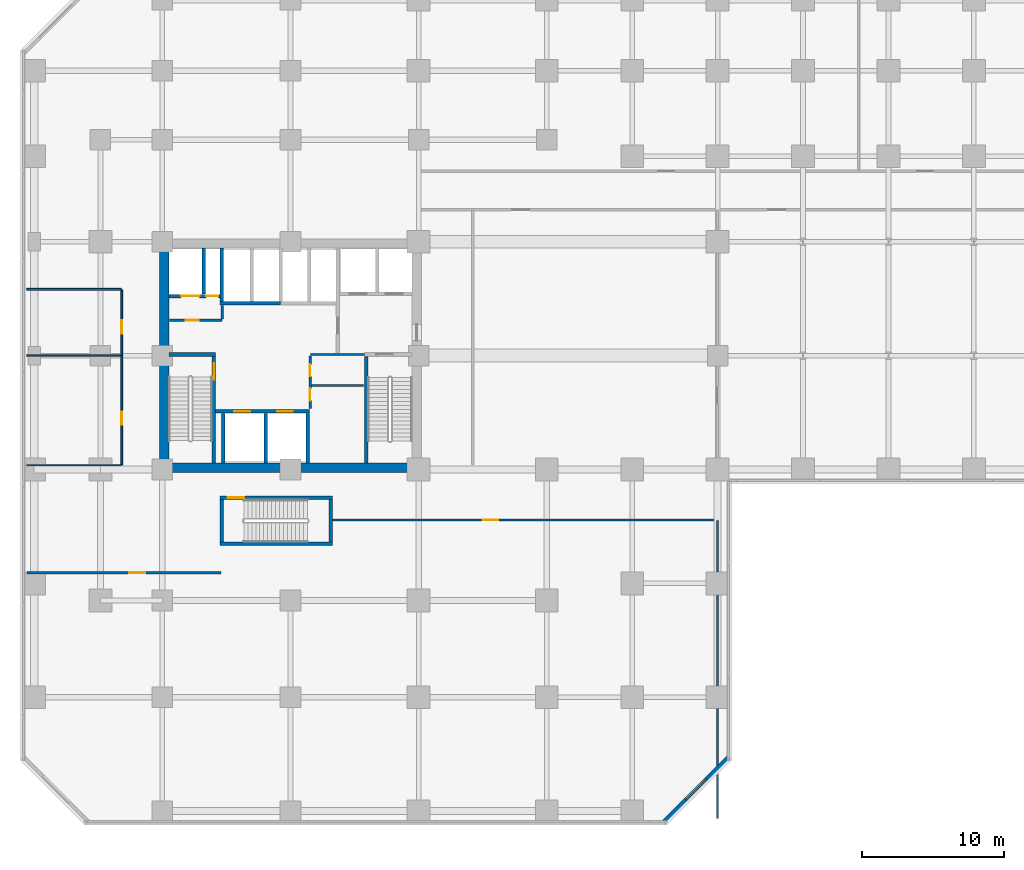
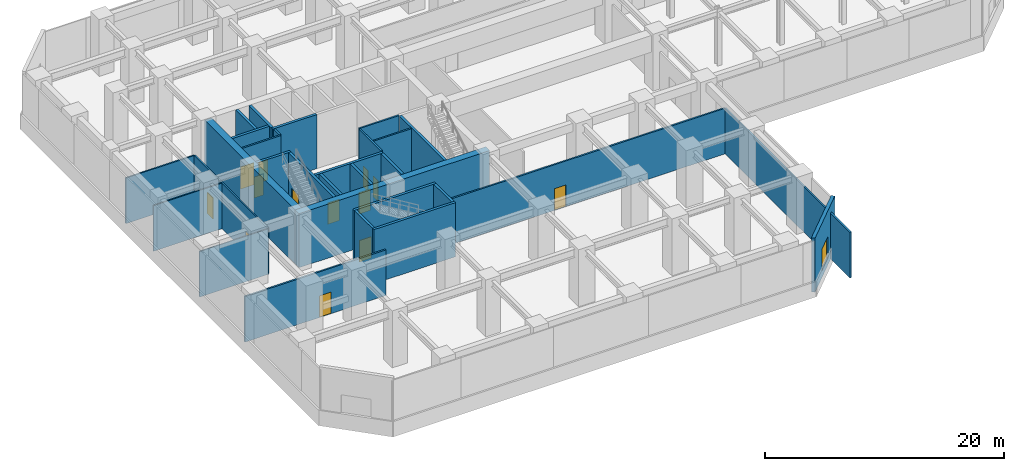
# One storey, part 3 of 12: 30 walls, 13 doors, 1 window, 14 openings.
"""IFC4 building model written with IfcOpenShell, lengths in metres."""

from ifc_helpers import new_model, si_unit, direction, frame, frame_2d, origin, place, context, subcontext, project, spatial, rectangle, extrude, source, transform, mapped, material, layer, layer_set, type_object, element, fill, save


model = new_model("IFC4")

# Units and contexts
model_context = context("Model", 3, precision=1e-05, world=origin(), true_north=direction((0.0, 1.0)))
body_context = subcontext(model_context, "Body", "Model", "MODEL_VIEW")
ifc_project = project(units=[si_unit("LENGTHUNIT", "METRE"), si_unit("AREAUNIT", "SQUARE_METRE"), si_unit("VOLUMEUNIT", "CUBIC_METRE"), si_unit("PLANEANGLEUNIT", "RADIAN"), si_unit("MASSUNIT", "GRAM", prefix="KILO")], contexts=[model_context])

# Site, building, storey
site_placement = place(None, origin())
site = spatial("IfcSite", under=ifc_project, at=site_placement, CompositionType="ELEMENT")
building_placement = place(site_placement, origin())
building = spatial("IfcBuilding", under=site, at=building_placement, Name="Torre Montelarca", CompositionType="ELEMENT")
storey_placement = place(building_placement, frame((0.0, 0.0, 22.199951171875)))
storey = spatial("IfcBuildingStorey", under=building, at=storey_placement, Name="L05", CompositionType="ELEMENT", Elevation=22.199951171875)

# Wall, opening, door
ifc_material_1 = material(Name="Concrete C40/50", Category="concrete")
ifc_layer_1 = layer(ifc_material_1, 0.25, Name="Concrete C40/50", Category="concrete")
ifc_layer_set_1 = layer_set([ifc_layer_1], Name="Concrete C40/50")
wall_type_1 = type_object("IfcWallType", Name="CW-SHAFT-250", PredefinedType="SHEAR", material=ifc_layer_set_1)
wall_1_placement = place(storey_placement, frame((12.625, 24.4599609375, 0.0), z_axis=(0.0, 0.0, 1.0), x_axis=(0.0, 1.0, 0.0)))
wall_1 = element("IfcWall", 1, at=wall_1_placement, inside=storey, type_object=wall_type_1, Name="L05 Core Shear Wall SH-ST1-E", PredefinedType="SHEAR", context=body_context, shape_type="SweptSolid", body=[
    extrude(rectangle(XDim=7.489990234375, YDim=0.25, at=frame_2d((3.7451171875, 0.0))), origin(), (0.0, 0.0, 1.0), 5.52001953125),
])
opening_1_placement = place(wall_1_placement, frame((5.85009765625, 0.0, 0.0)))
opening_1 = element("IfcOpeningElement", 2, at=opening_1_placement, cuts=wall_1, Name="Opening FD-ST1", PredefinedType="OPENING", context=body_context, shape_type="SweptSolid", body=[
    extrude(rectangle(XDim=1.14990234375, YDim=2.199951171875, at=frame_2d((0.574951171875, 1.10009765625))), frame((0.0, 0.135009765625, 0.0), z_axis=(0.0, -1.0, 0.0), x_axis=(1.0, 0.0, 0.0)), (0.0, 0.0, 1.0), 0.27001953125),
])
ifc_material_2 = material(Name="Galvanized steel fire door", Category="steel")
door_type_1 = type_object("IfcDoorType", Name="DR-STAIR-115", OperationType="NOTDEFINED", PredefinedType="DOOR", material=ifc_material_2)
shared_shape_1 = source(origin(), body_context, "Body", "SweptSolid", [
    extrude(rectangle(XDim=1.14990234375, YDim=2.199951171875, at=frame_2d((0.574951171875, 1.10009765625))), frame((0.0, 0.02490234375, 0.0), z_axis=(0.0, -1.0, 0.0), x_axis=(1.0, 0.0, 0.0)), (0.0, 0.0, 1.0), 0.050048828125),
])
door_1_placement = place(opening_1_placement, origin())
door_1 = element("IfcDoor", 3, at=door_1_placement, inside=storey, type_object=door_type_1, Name="L05 Exit Stair ST1 Fire Door", OperationType="SINGLE_SWING_RIGHT", OverallHeight=2.199951171875, OverallWidth=1.14990234375, PredefinedType="DOOR", context=body_context, shape_type="MappedRepresentation", body=[
    mapped(shared_shape_1, transform((0.0, 0.0, 0.0), scale=1.0)),
])
fill(opening_1, door_1)

# Walls
wall_2_placement = place(storey_placement, frame((9.4599609375, 32.074951171875, 0.0), z_axis=(0.0, 0.0, 1.0), x_axis=(1.0, 0.0, 0.0)))
element("IfcWall", 4, at=wall_2_placement, inside=storey, type_object=wall_type_1, Name="L05 Core Shear Wall SH-ST1-N", PredefinedType="SHEAR", context=body_context, shape_type="SweptSolid", body=[
    extrude(rectangle(XDim=3.2900390625, YDim=0.25, at=frame_2d((1.64501953125, 0.0))), origin(), (0.0, 0.0, 1.0), 5.52001953125),
])
wall_3_placement = place(storey_placement, frame((23.31494140625, 24.4599609375, 0.0), z_axis=(0.0, 0.0, 1.0), x_axis=(0.0, 1.0, 0.0)))
element("IfcWall", 5, at=wall_3_placement, inside=storey, type_object=wall_type_1, Name="L05 Core Shear Wall SH-ST2-W", PredefinedType="SHEAR", context=body_context, shape_type="SweptSolid", body=[
    extrude(rectangle(XDim=7.489990234375, YDim=0.25, at=frame_2d((3.7451171875, 0.0))), origin(), (0.0, 0.0, 1.0), 5.52001953125),
])

# Wall, openings, doors
wall_4_placement = place(storey_placement, frame((9.4599609375, 36.179931640625, 0.0), z_axis=(0.0, 0.0, 1.0), x_axis=(1.0, 0.0, 0.0)))
wall_4 = element("IfcWall", 6, at=wall_4_placement, inside=storey, type_object=wall_type_1, Name="L05 Core Shear Wall SH-SV1-S", PredefinedType="SHEAR", context=body_context, shape_type="SweptSolid", body=[
    extrude(rectangle(XDim=3.7900390625, YDim=0.25, at=frame_2d((1.89501953125, 0.0))), origin(), (0.0, 0.0, 1.0), 5.52001953125),
])
opening_2_placement = place(wall_4_placement, frame((2.6201171875, 0.0, 0.0)))
opening_2 = element("IfcOpeningElement", 7, at=opening_2_placement, cuts=wall_4, Name="Opening FD-085", PredefinedType="OPENING", context=body_context, shape_type="SweptSolid", body=[
    extrude(rectangle(XDim=0.85009765625, YDim=2.10009765625, at=frame_2d((0.425048828125, 1.050048828125))), frame((0.0, 0.135009765625, 0.0), z_axis=(0.0, -1.0, 0.0), x_axis=(1.0, 0.0, 0.0)), (0.0, 0.0, 1.0), 0.27001953125),
])
opening_3_placement = place(wall_4_placement, frame((0.85009765625, 0.0, 0.0)))
opening_3 = element("IfcOpeningElement", 8, at=opening_3_placement, cuts=wall_4, Name="Opening LD-130", PredefinedType="OPENING", context=body_context, shape_type="SweptSolid", body=[
    extrude(rectangle(XDim=1.300048828125, YDim=2.25, at=frame_2d((0.64990234375, 1.125))), frame((0.0, 0.135009765625, 0.0), z_axis=(0.0, -1.0, 0.0), x_axis=(1.0, 0.0, 0.0)), (0.0, 0.0, 1.0), 0.27001953125),
])
ifc_material_3 = material(Name="Steel riser access fire door", Category="steel")
door_type_2 = type_object("IfcDoorType", Name="DR-RISER-085", OperationType="NOTDEFINED", PredefinedType="DOOR", material=ifc_material_3)
shared_shape_2 = source(origin(), body_context, "Body", "SweptSolid", [
    extrude(rectangle(XDim=0.85009765625, YDim=2.10009765625, at=frame_2d((0.425048828125, 1.050048828125))), frame((0.0, 0.02490234375, 0.0), z_axis=(0.0, -1.0, 0.0), x_axis=(1.0, 0.0, 0.0)), (0.0, 0.0, 1.0), 0.050048828125),
])
door_2_placement = place(opening_2_placement, origin())
door_2 = element("IfcDoor", 9, at=door_2_placement, inside=storey, type_object=door_type_2, Name="L05 Electrical Riser Shaft Access Door", OperationType="SINGLE_SWING_RIGHT", OverallHeight=2.10009765625, OverallWidth=0.85009765625, PredefinedType="DOOR", context=body_context, shape_type="MappedRepresentation", body=[
    mapped(shared_shape_2, transform((0.0, 0.0, 0.0), scale=1.0)),
])
fill(opening_2, door_2)
ifc_material_4 = material(Name="Brushed stainless steel AISI 316", Category="steel")
door_type_3 = type_object("IfcDoorType", Name="DR-LIFT-130", OperationType="SLIDING_TO_LEFT", PredefinedType="DOOR", material=ifc_material_4)
shared_shape_3 = source(origin(), body_context, "Body", "SweptSolid", [
    extrude(rectangle(XDim=1.300048828125, YDim=2.25, at=frame_2d((0.64990234375, 1.125))), frame((0.0, 0.02490234375, 0.0), z_axis=(0.0, -1.0, 0.0), x_axis=(1.0, 0.0, 0.0)), (0.0, 0.0, 1.0), 0.050048828125),
])
door_3_placement = place(opening_3_placement, origin())
door_3 = element("IfcDoor", 10, at=door_3_placement, inside=storey, type_object=door_type_3, Name="L05 Lift Landing Sliding Door SV-1", OperationType="SLIDING_TO_LEFT", OverallHeight=2.25, OverallWidth=1.300048828125, PredefinedType="DOOR", context=body_context, shape_type="MappedRepresentation", body=[
    mapped(shared_shape_3, transform((0.0, 0.0, 0.0), scale=1.0)),
])
fill(opening_3, door_3)

# Wall
wall_5_placement = place(storey_placement, frame((11.89990234375, 36.31005859375, 0.0), z_axis=(0.0, 0.0, 1.0), x_axis=(0.0, 1.0, 0.0)))
element("IfcWall", 11, at=wall_5_placement, inside=storey, type_object=wall_type_1, Name="L05 Core Shear Wall SH-SV1-E", PredefinedType="SHEAR", context=body_context, shape_type="SweptSolid", body=[
    extrude(rectangle(XDim=3.22998046875, YDim=0.25, at=frame_2d((1.614990234375, 0.0))), origin(), (0.0, 0.0, 1.0), 5.52001953125),
])

# Wall, openings, doors
wall_6_placement = place(storey_placement, frame((12.6298828125, 28.080078125, 0.0), z_axis=(0.0, 0.0, 1.0), x_axis=(1.0, 0.0, 0.0)))
wall_6 = element("IfcWall", 12, at=wall_6_placement, inside=storey, type_object=wall_type_1, Name="L05 Core Shear Wall SH-PLL-N", PredefinedType="SHEAR", context=body_context, shape_type="SweptSolid", body=[
    extrude(rectangle(XDim=6.710205078125, YDim=0.25, at=frame_2d((3.35498046875, 0.0))), origin(), (0.0, 0.0, 1.0), 5.52001953125),
])
opening_4_placement = place(wall_6_placement, frame((1.429931640625, 0.0, 0.0)))
opening_4 = element("IfcOpeningElement", 13, at=opening_4_placement, cuts=wall_6, Name="Opening LD-110", PredefinedType="OPENING", context=body_context, shape_type="SweptSolid", body=[
    extrude(rectangle(XDim=1.10009765625, YDim=2.199951171875, at=frame_2d((0.550048828125, 1.10009765625))), frame((0.0, 0.135009765625, 0.0), z_axis=(0.0, -1.0, 0.0), x_axis=(1.0, 0.0, 0.0)), (0.0, 0.0, 1.0), 0.27001953125),
])
opening_5_placement = place(wall_6_placement, frame((4.429931640625, 0.0, 0.0)))
opening_5 = element("IfcOpeningElement", 14, at=opening_5_placement, cuts=wall_6, Name="Opening LD-110", PredefinedType="OPENING", context=body_context, shape_type="SweptSolid", body=[
    extrude(rectangle(XDim=1.10009765625, YDim=2.199951171875, at=frame_2d((0.550048828125, 1.10009765625))), frame((0.0, 0.135009765625, 0.0), z_axis=(0.0, -1.0, 0.0), x_axis=(1.0, 0.0, 0.0)), (0.0, 0.0, 1.0), 0.27001953125),
])
door_type_4 = type_object("IfcDoorType", Name="DR-LIFT-110", OperationType="SLIDING_TO_LEFT", PredefinedType="DOOR", material=ifc_material_4)
shared_shape_4 = source(origin(), body_context, "Body", "SweptSolid", [
    extrude(rectangle(XDim=1.10009765625, YDim=2.199951171875, at=frame_2d((0.550048828125, 1.10009765625))), frame((0.0, 0.02490234375, 0.0), z_axis=(0.0, -1.0, 0.0), x_axis=(1.0, 0.0, 0.0)), (0.0, 0.0, 1.0), 0.050048828125),
])
door_4_placement = place(opening_4_placement, origin())
door_4 = element("IfcDoor", 15, at=door_4_placement, inside=storey, type_object=door_type_4, Name="L05 Lift Landing Sliding Door PL-L1", OperationType="SLIDING_TO_LEFT", OverallHeight=2.199951171875, OverallWidth=1.10009765625, PredefinedType="DOOR", context=body_context, shape_type="MappedRepresentation", body=[
    mapped(shared_shape_4, transform((0.0, 0.0, 0.0), scale=1.0)),
])
fill(opening_4, door_4)
door_5_placement = place(opening_5_placement, origin())
door_5 = element("IfcDoor", 16, at=door_5_placement, inside=storey, type_object=door_type_4, Name="L05 Lift Landing Sliding Door PL-L2", OperationType="SLIDING_TO_RIGHT", OverallHeight=2.199951171875, OverallWidth=1.10009765625, PredefinedType="DOOR", context=body_context, shape_type="MappedRepresentation", body=[
    mapped(shared_shape_4, transform((0.0, 0.0, 0.0), scale=1.0)),
])
fill(opening_5, door_5)

# Walls
for number, where, z_axis, x_axis, name in (
    (17, (13.280029296875, 24.4599609375, 0.0), (0.0, 0.0, 1.0), (0.0, 1.0, 0.0), "L05 Core Shear Wall SH-PLL-W"),
    (18, (16.25, 24.4599609375, 0.0), (0.0, 0.0, 1.0), (0.0, 1.0, 0.0), "L05 Core Shear Wall SH-PLL-M"),
    (19, (19.219970703125, 24.4599609375, 0.0), (0.0, 0.0, 1.0), (0.0, 1.0, 0.0), "L05 Core Shear Wall SH-PLL-E"),
):
    element("IfcWall", number, at=place(storey_placement, frame(where, z_axis=z_axis, x_axis=x_axis)), inside=storey, type_object=wall_type_1, Name=name, PredefinedType="SHEAR", context=body_context, shape_type="SweptSolid", body=[
        extrude(rectangle(XDim=3.489990234375, YDim=0.25, at=frame_2d((1.7451171875, 0.0))), origin(), (0.0, 0.0, 1.0), 5.52001953125),
    ])
wall_7_placement = place(storey_placement, frame((13.06005859375, 35.679931640625, 0.0), z_axis=(0.0, 0.0, 1.0), x_axis=(1.0, 0.0, 0.0)))
element("IfcWall", 20, at=wall_7_placement, inside=storey, type_object=wall_type_1, Name="L05 Core Shear Wall SH-PLM-S", PredefinedType="SHEAR", context=body_context, shape_type="SweptSolid", body=[
    extrude(rectangle(XDim=4.25, YDim=0.25, at=frame_2d((2.125, 0.0))), origin(), (0.0, 0.0, 1.0), 5.52001953125),
])
wall_8_placement = place(storey_placement, frame((13.179931640625, 35.81005859375, 0.0), z_axis=(0.0, 0.0, 1.0), x_axis=(0.0, 1.0, 0.0)))
element("IfcWall", 21, at=wall_8_placement, inside=storey, type_object=wall_type_1, Name="L05 Core Shear Wall SH-PLM-W", PredefinedType="SHEAR", context=body_context, shape_type="SweptSolid", body=[
    extrude(rectangle(XDim=3.72998046875, YDim=0.25, at=frame_2d((1.864990234375, 0.0))), origin(), (0.0, 0.0, 1.0), 5.52001953125),
])
for number, where, z_axis, x_axis, name in (
    (22, (13.175048828125, 18.89990234375, 0.0), (0.0, 0.0, 1.0), (0.0, 1.0, 0.0), "L05 Core Shear Wall SH-ST3-W"),
    (23, (20.824951171875, 18.89990234375, 0.0), (0.0, 0.0, 1.0), (0.0, 1.0, 0.0), "L05 Core Shear Wall SH-ST3-E"),
):
    element("IfcWall", number, at=place(storey_placement, frame(where, z_axis=z_axis, x_axis=x_axis)), inside=storey, type_object=wall_type_1, Name=name, PredefinedType="SHEAR", context=body_context, shape_type="SweptSolid", body=[
        extrude(rectangle(XDim=2.989990234375, YDim=0.25, at=frame_2d((1.4951171875, 0.0))), origin(), (0.0, 0.0, 1.0), 5.52001953125),
    ])
wall_9_placement = place(storey_placement, frame((13.050048828125, 18.77490234375, 0.0), z_axis=(0.0, 0.0, 1.0), x_axis=(1.0, 0.0, 0.0)))
element("IfcWall", 24, at=wall_9_placement, inside=storey, type_object=wall_type_1, Name="L05 Core Shear Wall SH-ST3-S", PredefinedType="SHEAR", context=body_context, shape_type="SweptSolid", body=[
    extrude(rectangle(XDim=7.89990234375, YDim=0.25, at=frame_2d((3.949951171875, 0.0))), origin(), (0.0, 0.0, 1.0), 5.52001953125),
])

# Wall, opening, door
wall_10_placement = place(storey_placement, frame((13.050048828125, 22.014892578125, 0.0), z_axis=(0.0, 0.0, 1.0), x_axis=(1.0, 0.0, 0.0)))
wall_10 = element("IfcWall", 25, at=wall_10_placement, inside=storey, type_object=wall_type_1, Name="L05 Core Shear Wall SH-ST3-N", PredefinedType="SHEAR", context=body_context, shape_type="SweptSolid", body=[
    extrude(rectangle(XDim=7.89990234375, YDim=0.25, at=frame_2d((3.949951171875, 0.0))), origin(), (0.0, 0.0, 1.0), 5.52001953125),
])
opening_6_placement = place(wall_10_placement, frame((0.550048828125, 0.0, 0.0)))
opening_6 = element("IfcOpeningElement", 26, at=opening_6_placement, cuts=wall_10, Name="Opening FD-ST1", PredefinedType="OPENING", context=body_context, shape_type="SweptSolid", body=[
    extrude(rectangle(XDim=1.14990234375, YDim=2.199951171875, at=frame_2d((0.574951171875, 1.10009765625))), frame((0.0, 0.135009765625, 0.0), z_axis=(0.0, -1.0, 0.0), x_axis=(1.0, 0.0, 0.0)), (0.0, 0.0, 1.0), 0.27001953125),
])
door_6_placement = place(opening_6_placement, origin())
door_6 = element("IfcDoor", 27, at=door_6_placement, inside=storey, type_object=door_type_1, Name="L05 Exit Stair ST3 Fire Door", OperationType="SINGLE_SWING_LEFT", OverallHeight=2.199951171875, OverallWidth=1.14990234375, PredefinedType="DOOR", context=body_context, shape_type="MappedRepresentation", body=[
    mapped(shared_shape_1, transform((0.0, 0.0, 0.0), scale=1.0)),
])
fill(opening_6, door_6)

# Walls
ifc_material_5 = material(Name="Concrete C70/85", Category="concrete")
ifc_layer_2 = layer(ifc_material_5, 0.64990234375, Name="Concrete C70/85", Category="concrete")
ifc_layer_set_2 = layer_set([ifc_layer_2], Name="Concrete C70/85")
wall_type_2 = type_object("IfcWallType", Name="CW-SHEAR-650", PredefinedType="SHEAR", material=ifc_layer_set_2)
wall_11_placement = place(storey_placement, frame((9.125, 24.449951171875, 0.0), z_axis=(0.0, 0.0, 1.0), x_axis=(0.0, 1.0, 0.0)))
element("IfcWall", 28, at=wall_11_placement, inside=storey, type_object=wall_type_2, Name="L05 Core Shear Wall CW-W", PredefinedType="SHEAR", context=body_context, shape_type="SweptSolid", body=[
    extrude(rectangle(XDim=15.10009765625, YDim=0.64990234375, at=frame_2d((7.550048828125, 0.0))), origin(), (0.0, 0.0, 1.0), 5.52001953125),
])
wall_12_placement = place(storey_placement, frame((8.800048828125, 24.125, 0.0), z_axis=(0.0, 0.0, 1.0), x_axis=(1.0, 0.0, 0.0)))
element("IfcWall", 29, at=wall_12_placement, inside=storey, type_object=wall_type_2, Name="L05 Core Shear Wall CW-S1", PredefinedType="SHEAR", context=body_context, shape_type="SweptSolid", body=[
    extrude(rectangle(XDim=18.39990234375, YDim=0.64990234375, at=frame_2d((9.199951171875, 0.0))), origin(), (0.0, 0.0, 1.0), 5.52001953125),
])

# Wall, opening, window
ifc_material_6 = material(Name="Precast concrete C45/55", Category="concrete")
ifc_layer_3 = layer(ifc_material_6, 0.320068359375, Name="Precast concrete C45/55", Category="concrete")
ifc_layer_set_3 = layer_set([ifc_layer_3], Name="Precast concrete C45/55")
wall_type_3 = type_object("IfcWallType", Name="EW-CONC-320", PredefinedType="SOLIDWALL", material=ifc_layer_set_3)
wall_13_placement = place(storey_placement, frame((44.244384765625, -0.744384765625, 0.0), z_axis=(0.0, 0.0, 1.0), x_axis=(0.707106781187, 0.707106781187, 0.0)))
wall_13 = element("IfcWall", 30, at=wall_13_placement, inside=storey, type_object=wall_type_3, Name="L05 Podium Precast Concrete Wall E02", PredefinedType="SOLIDWALL", context=body_context, shape_type="SweptSolid", body=[
    extrude(rectangle(XDim=6.364013671875, YDim=0.320068359375, at=frame_2d((3.18212890625, 0.0))), origin(), (0.0, 0.0, 1.0), 5.52001953125),
])
opening_7_placement = place(wall_13_placement, frame((2.181884765625, 0.0, 0.64990234375)))
opening_7 = element("IfcOpeningElement", 31, at=opening_7_placement, cuts=wall_13, Name="Opening W-08", PredefinedType="OPENING", context=body_context, shape_type="SweptSolid", body=[
    extrude(rectangle(XDim=2.0, YDim=2.25, at=frame_2d((1.0, 1.125))), frame((0.0, 0.169921875, 0.0), z_axis=(0.0, -1.0, 0.0), x_axis=(1.0, 0.0, 0.0)), (0.0, 0.0, 1.0), 0.340087890625),
])
ifc_material_7 = material(Name="Insulated low-E laminated glass in aluminium frame", Category="aluminium")
window_type = type_object("IfcWindowType", Name="WIN-W08", PartitioningType="DOUBLE_PANEL_HORIZONTAL", PredefinedType="WINDOW", material=ifc_material_7)
shared_shape_5 = source(origin(), body_context, "Body", "SweptSolid", [
    extrude(rectangle(XDim=2.0, YDim=2.25, at=frame_2d((1.0, 1.125))), frame((0.0, 0.030029296875, 0.0), z_axis=(0.0, -1.0, 0.0), x_axis=(1.0, 0.0, 0.0)), (0.0, 0.0, 1.0), 0.06005859375),
])
window_placement = place(opening_7_placement, origin())
window = element("IfcWindow", 32, at=window_placement, inside=storey, type_object=window_type, Name="L05 Podium Chamfer Feature Window E02", OverallHeight=2.25, OverallWidth=2.0, PartitioningType="DOUBLE_PANEL_HORIZONTAL", PredefinedType="WINDOW", context=body_context, shape_type="MappedRepresentation", body=[
    mapped(shared_shape_5, transform((0.0, 0.0, 0.0), scale=1.0)),
])
fill(opening_7, window)

# Wall, opening, door
ifc_material_8 = material(Name="Gypsum plasterboard on steel stud", Category="steel")
ifc_layer_4 = layer(ifc_material_8, 0.159912109375, Name="Gypsum plasterboard on steel stud", Category="steel")
ifc_layer_set_4 = layer_set([ifc_layer_4], Name="Gypsum plasterboard on steel stud")
wall_type_4 = type_object("IfcWallType", Name="PW-FIRE-160", PredefinedType="PARTITIONING", material=ifc_layer_set_4)
wall_14_placement = place(storey_placement, frame((9.489990234375, 34.47998046875, 0.0), z_axis=(0.0, 0.0, 1.0), x_axis=(1.0, 0.0, 0.0)))
wall_14 = element("IfcWall", 33, at=wall_14_placement, inside=storey, type_object=wall_type_4, Name="L05 Interior Partition CW-L05-SVS", PredefinedType="PARTITIONING", context=body_context, shape_type="SweptSolid", body=[
    extrude(rectangle(XDim=3.699951171875, YDim=0.159912109375, at=frame_2d((1.85009765625, 0.0))), origin(), (0.0, 0.0, 1.0), 5.52001953125),
])
opening_8_placement = place(wall_14_placement, frame((1.14990234375, 0.0, 0.0)))
opening_8 = element("IfcOpeningElement", 34, at=opening_8_placement, cuts=wall_14, Name="Opening FD-090", PredefinedType="OPENING", context=body_context, shape_type="SweptSolid", body=[
    extrude(rectangle(XDim=0.89990234375, YDim=2.14990234375, at=frame_2d((0.449951171875, 1.074951171875))), frame((0.0, 0.08984375, 0.0), z_axis=(0.0, -1.0, 0.0), x_axis=(1.0, 0.0, 0.0)), (0.0, 0.0, 1.0), 0.179931640625),
])
ifc_material_9 = material(Name="Steel service fire door", Category="steel")
door_type_5 = type_object("IfcDoorType", Name="DR-FIRE-090", OperationType="NOTDEFINED", PredefinedType="DOOR", material=ifc_material_9)
shared_shape_6 = source(origin(), body_context, "Body", "SweptSolid", [
    extrude(rectangle(XDim=0.89990234375, YDim=2.14990234375, at=frame_2d((0.449951171875, 1.074951171875))), frame((0.0, 0.02490234375, 0.0), z_axis=(0.0, -1.0, 0.0), x_axis=(1.0, 0.0, 0.0)), (0.0, 0.0, 1.0), 0.050048828125),
])
door_7_placement = place(opening_8_placement, origin())
door_7 = element("IfcDoor", 35, at=door_7_placement, inside=storey, type_object=door_type_5, Name="L05 Interior Door 01", OperationType="SINGLE_SWING_RIGHT", OverallHeight=2.14990234375, OverallWidth=0.89990234375, PredefinedType="DOOR", context=body_context, shape_type="MappedRepresentation", body=[
    mapped(shared_shape_6, transform((0.0, 0.0, 0.0), scale=1.0)),
])
fill(opening_8, door_7)

# Walls
wall_15_placement = place(storey_placement, frame((13.199951171875, 34.570068359375, 0.0), z_axis=(0.0, 0.0, 1.0), x_axis=(0.0, 1.0, 0.0)))
element("IfcWall", 36, at=wall_15_placement, inside=storey, type_object=wall_type_4, Name="L05 Interior Partition CW-L05-SVE", PredefinedType="PARTITIONING", context=body_context, shape_type="SweptSolid", body=[
    extrude(rectangle(XDim=0.93994140625, YDim=0.159912109375, at=frame_2d((0.469970703125, 0.0))), origin(), (0.0, 0.0, 1.0), 5.52001953125),
])
wall_16_placement = place(storey_placement, frame((19.389892578125, 32.080078125, 0.0), z_axis=(0.0, 0.0, 1.0), x_axis=(1.0, 0.0, 0.0)))
element("IfcWall", 37, at=wall_16_placement, inside=storey, type_object=wall_type_4, Name="L05 Interior Partition CW-L05-SEN", PredefinedType="PARTITIONING", context=body_context, shape_type="SweptSolid", body=[
    extrude(rectangle(XDim=3.820068359375, YDim=0.159912109375, at=frame_2d((1.91015625, 0.0))), origin(), (0.0, 0.0, 1.0), 5.52001953125),
])

# Wall, openings, doors
wall_17_placement = place(storey_placement, frame((19.3798828125, 28.2900390625, 0.0), z_axis=(0.0, 0.0, 1.0), x_axis=(0.0, 1.0, 0.0)))
wall_17 = element("IfcWall", 38, at=wall_17_placement, inside=storey, type_object=wall_type_4, Name="L05 Interior Partition CW-L05-SEW", PredefinedType="PARTITIONING", context=body_context, shape_type="SweptSolid", body=[
    extrude(rectangle(XDim=3.669921875, YDim=0.159912109375, at=frame_2d((1.8349609375, 0.0))), origin(), (0.0, 0.0, 1.0), 5.52001953125),
])
opening_9_placement = place(wall_17_placement, frame((0.550048828125, 0.0, 0.0)))
opening_9 = element("IfcOpeningElement", 39, at=opening_9_placement, cuts=wall_17, Name="Opening FD-085", PredefinedType="OPENING", context=body_context, shape_type="SweptSolid", body=[
    extrude(rectangle(XDim=0.85009765625, YDim=2.10009765625, at=frame_2d((0.425048828125, 1.050048828125))), frame((0.0, 0.08984375, 0.0), z_axis=(0.0, -1.0, 0.0), x_axis=(1.0, 0.0, 0.0)), (0.0, 0.0, 1.0), 0.179931640625),
])
opening_10_placement = place(wall_17_placement, frame((2.25, 0.0, 0.0)))
opening_10 = element("IfcOpeningElement", 40, at=opening_10_placement, cuts=wall_17, Name="Opening FD-085", PredefinedType="OPENING", context=body_context, shape_type="SweptSolid", body=[
    extrude(rectangle(XDim=0.85009765625, YDim=2.10009765625, at=frame_2d((0.425048828125, 1.050048828125))), frame((0.0, 0.08984375, 0.0), z_axis=(0.0, -1.0, 0.0), x_axis=(1.0, 0.0, 0.0)), (0.0, 0.0, 1.0), 0.179931640625),
])
door_8_placement = place(opening_9_placement, origin())
door_8 = element("IfcDoor", 41, at=door_8_placement, inside=storey, type_object=door_type_2, Name="L05 Interior Door 02", OperationType="SINGLE_SWING_LEFT", OverallHeight=2.10009765625, OverallWidth=0.85009765625, PredefinedType="DOOR", context=body_context, shape_type="MappedRepresentation", body=[
    mapped(shared_shape_2, transform((0.0, 0.0, 0.0), scale=1.0)),
])
fill(opening_9, door_8)
door_9_placement = place(opening_10_placement, origin())
door_9 = element("IfcDoor", 42, at=door_9_placement, inside=storey, type_object=door_type_2, Name="L05 Interior Door 03", OperationType="SINGLE_SWING_RIGHT", OverallHeight=2.10009765625, OverallWidth=0.85009765625, PredefinedType="DOOR", context=body_context, shape_type="MappedRepresentation", body=[
    mapped(shared_shape_2, transform((0.0, 0.0, 0.0), scale=1.0)),
])
fill(opening_10, door_9)

# Wall
wall_18_placement = place(storey_placement, frame((19.419921875, 29.89990234375, 0.0), z_axis=(0.0, 0.0, 1.0), x_axis=(1.0, 0.0, 0.0)))
element("IfcWall", 43, at=wall_18_placement, inside=storey, type_object=wall_type_4, Name="L05 Interior Partition CW-L05-SEM", PredefinedType="PARTITIONING", context=body_context, shape_type="SweptSolid", body=[
    extrude(rectangle(XDim=3.719970703125, YDim=0.159912109375, at=frame_2d((1.85986328125, 0.0))), origin(), (0.0, 0.0, 1.0), 5.52001953125),
])

# Wall, opening, door
wall_19_placement = place(storey_placement, frame((-0.510009765625, 16.75, 0.0), z_axis=(0.0, 0.0, 1.0), x_axis=(1.0, 0.0, 0.0)))
wall_19 = element("IfcWall", 44, at=wall_19_placement, inside=storey, type_object=wall_type_4, Name="L05 Interior Partition W-L05-CSW", PredefinedType="PARTITIONING", context=body_context, shape_type="SweptSolid", body=[
    extrude(rectangle(XDim=13.6201171875, YDim=0.159912109375, at=frame_2d((6.81005859375, 0.0))), origin(), (0.0, 0.0, 1.0), 4.649658203125),
])
opening_11_placement = place(wall_19_placement, frame((7.199951171875, 0.0, 0.0)))
opening_11 = element("IfcOpeningElement", 45, at=opening_11_placement, cuts=wall_19, Name="Opening FD-110", PredefinedType="OPENING", context=body_context, shape_type="SweptSolid", body=[
    extrude(rectangle(XDim=1.10009765625, YDim=2.199951171875, at=frame_2d((0.550048828125, 1.10009765625))), frame((0.0, 0.08984375, 0.0), z_axis=(0.0, -1.0, 0.0), x_axis=(1.0, 0.0, 0.0)), (0.0, 0.0, 1.0), 0.179931640625),
])
ifc_material_10 = material(Name="Timber fire-rated suite door", Category="wood")
door_type_6 = type_object("IfcDoorType", Name="DR-FIRE-110", OperationType="NOTDEFINED", PredefinedType="DOOR", material=ifc_material_10)
shared_shape_7 = source(origin(), body_context, "Body", "SweptSolid", [
    extrude(rectangle(XDim=1.10009765625, YDim=2.199951171875, at=frame_2d((0.550048828125, 1.10009765625))), frame((0.0, 0.02490234375, 0.0), z_axis=(0.0, -1.0, 0.0), x_axis=(1.0, 0.0, 0.0)), (0.0, 0.0, 1.0), 0.050048828125),
])
door_10_placement = place(opening_11_placement, origin())
door_10 = element("IfcDoor", 46, at=door_10_placement, inside=storey, type_object=door_type_6, Name="L05 Interior Door 06", OperationType="SINGLE_SWING_LEFT", OverallHeight=2.199951171875, OverallWidth=1.10009765625, PredefinedType="DOOR", context=body_context, shape_type="MappedRepresentation", body=[
    mapped(shared_shape_7, transform((0.0, 0.0, 0.0), scale=1.0)),
])
fill(opening_11, door_10)

wall_20_placement = place(storey_placement, frame((20.889892578125, 20.449951171875, 0.0), z_axis=(0.0, 0.0, 1.0), x_axis=(1.0, 0.0, 0.0)))
wall_20 = element("IfcWall", 47, at=wall_20_placement, inside=storey, type_object=wall_type_4, Name="L05 Interior Partition W-L05-CSE", PredefinedType="PARTITIONING", context=body_context, shape_type="SweptSolid", body=[
    extrude(rectangle(XDim=27.070068359375, YDim=0.159912109375, at=frame_2d((13.53515625, 0.0))), origin(), (0.0, 0.0, 1.0), 4.649658203125),
])
opening_12_placement = place(wall_20_placement, frame((10.60009765625, 0.0, 0.0)))
opening_12 = element("IfcOpeningElement", 48, at=opening_12_placement, cuts=wall_20, Name="Opening FD-110", PredefinedType="OPENING", context=body_context, shape_type="SweptSolid", body=[
    extrude(rectangle(XDim=1.10009765625, YDim=2.199951171875, at=frame_2d((0.550048828125, 1.10009765625))), frame((0.0, 0.08984375, 0.0), z_axis=(0.0, -1.0, 0.0), x_axis=(1.0, 0.0, 0.0)), (0.0, 0.0, 1.0), 0.179931640625),
])
door_11_placement = place(opening_12_placement, origin())
door_11 = element("IfcDoor", 49, at=door_11_placement, inside=storey, type_object=door_type_6, Name="L05 Interior Door 07", OperationType="SINGLE_SWING_RIGHT", OverallHeight=2.199951171875, OverallWidth=1.10009765625, PredefinedType="DOOR", context=body_context, shape_type="MappedRepresentation", body=[
    mapped(shared_shape_7, transform((0.0, 0.0, 0.0), scale=1.0)),
])
fill(opening_12, door_11)

# Walls
wall_21_placement = place(storey_placement, frame((48.0, -0.510009765625, 0.0), z_axis=(0.0, 0.0, 1.0), x_axis=(0.0, 1.0, 0.0)))
element("IfcWall", 50, at=wall_21_placement, inside=storey, type_object=wall_type_4, Name="L05 Interior Partition W-L05-CSES", PredefinedType="PARTITIONING", context=body_context, shape_type="SweptSolid", body=[
    extrude(rectangle(XDim=20.919921875, YDim=0.159912109375, at=frame_2d((10.4599609375, 0.0))), origin(), (0.0, 0.0, 1.0), 4.655029296875),
])
ifc_material_11 = material(Name="Acoustic laminated glass partition", Category="glass")
ifc_layer_5 = layer(ifc_material_11, 0.10009765625, Name="Acoustic laminated glass partition", Category="glass")
ifc_layer_set_5 = layer_set([ifc_layer_5], Name="Acoustic laminated glass partition")
wall_type_5 = type_object("IfcWallType", Name="PW-GLAZ-100", PredefinedType="PARTITIONING", material=ifc_layer_set_5)
wall_22_placement = place(storey_placement, frame((-0.510009765625, 24.300048828125, 0.0), z_axis=(0.0, 0.0, 1.0), x_axis=(1.0, 0.0, 0.0)))
element("IfcWall", 51, at=wall_22_placement, inside=storey, type_object=wall_type_5, Name="L05 Interior Partition W-L05-WCS", PredefinedType="PARTITIONING", context=body_context, shape_type="SweptSolid", body=[
    extrude(rectangle(XDim=6.6201171875, YDim=0.10009765625, at=frame_2d((3.31005859375, 0.0))), origin(), (0.0, 0.0, 1.0), 4.649658203125),
])
wall_23_placement = place(storey_placement, frame((-0.510009765625, 32.0, 0.0), z_axis=(0.0, 0.0, 1.0), x_axis=(1.0, 0.0, 0.0)))
element("IfcWall", 52, at=wall_23_placement, inside=storey, type_object=wall_type_5, Name="L05 Interior Partition W-L05-WC1", PredefinedType="PARTITIONING", context=body_context, shape_type="SweptSolid", body=[
    extrude(rectangle(XDim=6.6201171875, YDim=0.10009765625, at=frame_2d((3.31005859375, 0.0))), origin(), (0.0, 0.0, 1.0), 4.655029296875),
])
ifc_layer_6 = layer(ifc_material_8, 0.135009765625, Name="Gypsum plasterboard on steel stud", Category="steel")
ifc_layer_set_6 = layer_set([ifc_layer_6], Name="Gypsum plasterboard on steel stud")
wall_type_6 = type_object("IfcWallType", Name="PW-PART-135", PredefinedType="PARTITIONING", material=ifc_layer_set_6)
wall_24_placement = place(storey_placement, frame((-0.510009765625, 36.64990234375, 0.0), z_axis=(0.0, 0.0, 1.0), x_axis=(1.0, 0.0, 0.0)))
element("IfcWall", 53, at=wall_24_placement, inside=storey, type_object=wall_type_6, Name="L05 Interior Partition W-L05-WCN", PredefinedType="PARTITIONING", context=body_context, shape_type="SweptSolid", body=[
    extrude(rectangle(XDim=6.6201171875, YDim=0.135009765625, at=frame_2d((3.31005859375, 0.0))), origin(), (0.0, 0.0, 1.0), 4.655029296875),
])

# Wall, openings, doors
wall_25_placement = place(storey_placement, frame((6.14990234375, 24.340087890625, 0.0), z_axis=(0.0, 0.0, 1.0), x_axis=(0.0, 1.0, 0.0)))
wall_25 = element("IfcWall", 54, at=wall_25_placement, inside=storey, type_object=wall_type_6, Name="L05 Interior Partition W-L05-WCE", PredefinedType="PARTITIONING", context=body_context, shape_type="SweptSolid", body=[
    extrude(rectangle(XDim=12.27001953125, YDim=0.135009765625, at=frame_2d((6.135009765625, 0.0))), origin(), (0.0, 0.0, 1.0), 4.655029296875),
])
opening_13_placement = place(wall_25_placement, frame((2.800048828125, 0.0, 0.0)))
opening_13 = element("IfcOpeningElement", 55, at=opening_13_placement, cuts=wall_25, Name="Opening ID-090", PredefinedType="OPENING", context=body_context, shape_type="SweptSolid", body=[
    extrude(rectangle(XDim=0.89990234375, YDim=2.14990234375, at=frame_2d((0.449951171875, 1.074951171875))), frame((0.0, 0.07763671875, 0.0), z_axis=(0.0, -1.0, 0.0), x_axis=(1.0, 0.0, 0.0)), (0.0, 0.0, 1.0), 0.155029296875),
])
opening_14_placement = place(wall_25_placement, frame((9.199951171875, 0.0, 0.0)))
opening_14 = element("IfcOpeningElement", 56, at=opening_14_placement, cuts=wall_25, Name="Opening ID-095", PredefinedType="OPENING", context=body_context, shape_type="SweptSolid", body=[
    extrude(rectangle(XDim=0.949951171875, YDim=2.14990234375, at=frame_2d((0.47509765625, 1.074951171875))), frame((0.0, 0.07763671875, 0.0), z_axis=(0.0, -1.0, 0.0), x_axis=(1.0, 0.0, 0.0)), (0.0, 0.0, 1.0), 0.155029296875),
])
ifc_material_12 = material(Name="Hardwood acoustic timber veneer", Category="wood")
door_type_7 = type_object("IfcDoorType", Name="DR-INT-090", OperationType="NOTDEFINED", PredefinedType="DOOR", material=ifc_material_12)
shared_shape_8 = source(origin(), body_context, "Body", "SweptSolid", [
    extrude(rectangle(XDim=0.89990234375, YDim=2.14990234375, at=frame_2d((0.449951171875, 1.074951171875))), frame((0.0, 0.02490234375, 0.0), z_axis=(0.0, -1.0, 0.0), x_axis=(1.0, 0.0, 0.0)), (0.0, 0.0, 1.0), 0.050048828125),
])
door_12_placement = place(opening_13_placement, origin())
door_12 = element("IfcDoor", 57, at=door_12_placement, inside=storey, type_object=door_type_7, Name="L05 Interior Door 04", OperationType="SINGLE_SWING_LEFT", OverallHeight=2.14990234375, OverallWidth=0.89990234375, PredefinedType="DOOR", context=body_context, shape_type="MappedRepresentation", body=[
    mapped(shared_shape_8, transform((0.0, 0.0, 0.0), scale=1.0)),
])
fill(opening_13, door_12)
door_type_8 = type_object("IfcDoorType", Name="DR-INT-095", OperationType="NOTDEFINED", PredefinedType="DOOR", material=ifc_material_12)
shared_shape_9 = source(origin(), body_context, "Body", "SweptSolid", [
    extrude(rectangle(XDim=0.949951171875, YDim=2.14990234375, at=frame_2d((0.47509765625, 1.074951171875))), frame((0.0, 0.02490234375, 0.0), z_axis=(0.0, -1.0, 0.0), x_axis=(1.0, 0.0, 0.0)), (0.0, 0.0, 1.0), 0.050048828125),
])
door_13_placement = place(opening_14_placement, origin())
door_13 = element("IfcDoor", 58, at=door_13_placement, inside=storey, type_object=door_type_8, Name="L05 Interior Door 05", OperationType="SINGLE_SWING_RIGHT", OverallHeight=2.14990234375, OverallWidth=0.949951171875, PredefinedType="DOOR", context=body_context, shape_type="MappedRepresentation", body=[
    mapped(shared_shape_9, transform((0.0, 0.0, 0.0), scale=1.0)),
])
fill(opening_14, door_13)

save(model, "model.ifc")
